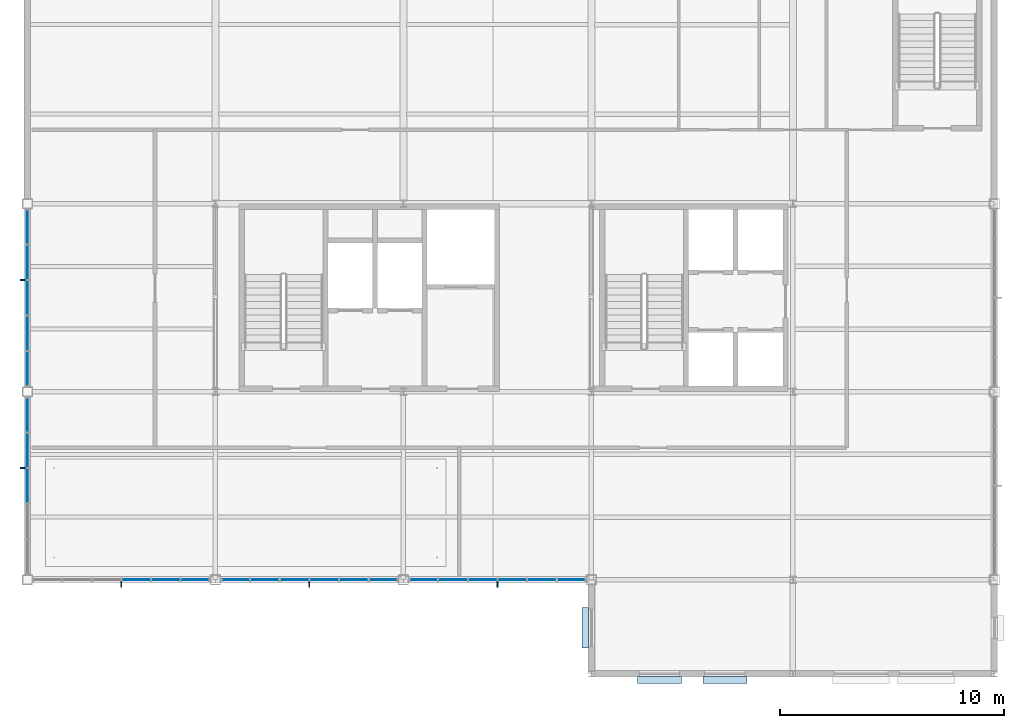
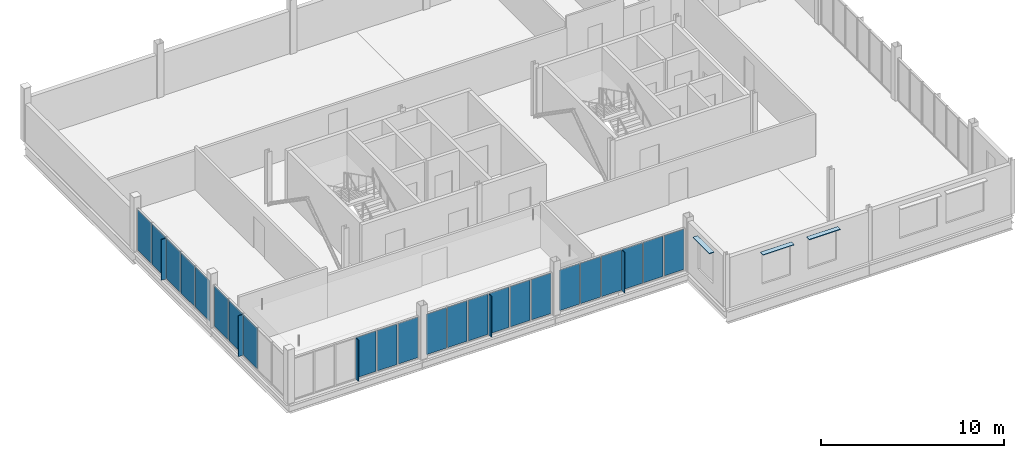
# One storey, part 10 of 19: 31 plates, 5 elements without a shape of their own.
"""IFC4 building model written with IfcOpenShell, lengths in metres."""

from ifc_helpers import new_model, si_unit, direction, frame, origin, origin_2d, place, context, subcontext, project, spatial, rectangle, extrude, material, layer, layer_set, type_object, element, aggregate, save


model = new_model("IFC4")

# Units and contexts
model_context = context("Model", 3, precision=1e-05, world=origin(), true_north=direction((0.0, 1.0)))
body_context = subcontext(model_context, "Body", "Model", "MODEL_VIEW")
ifc_project = project(units=[si_unit("LENGTHUNIT", "METRE"), si_unit("AREAUNIT", "SQUARE_METRE"), si_unit("VOLUMEUNIT", "CUBIC_METRE"), si_unit("PLANEANGLEUNIT", "RADIAN"), si_unit("MASSUNIT", "GRAM", prefix="KILO")], contexts=[model_context])

# Site, building, storey
site_placement = place(None, origin())
site = spatial("IfcSite", under=ifc_project, at=site_placement, CompositionType="ELEMENT")
building_placement = place(site_placement, origin())
building = spatial("IfcBuilding", under=site, at=building_placement, Name="Yukiwa Park Conservatory and Herbarium", CompositionType="ELEMENT")
storey_placement = place(building_placement, frame((0.0, 0.0, 46.800048828125)))
storey = spatial("IfcBuildingStorey", under=building, at=storey_placement, Name="L12", CompositionType="ELEMENT", Elevation=46.800048828125)

# Curtain wall, plates
ifc_material_1 = material(Name="Triple Low-E Insulated Glass", Category="glass")
ifc_layer_1 = layer(ifc_material_1, 0.260009765625)
ifc_layer_set_1 = layer_set([ifc_layer_1], Name="Triple Low-E Insulated Glass")
curtain_wall_type_1 = type_object("IfcCurtainWallType", Name="CW-TOWER-LAB-W-1500", PredefinedType="NOTDEFINED", material=ifc_layer_set_1)
curtain_wall_1_placement = place(storey_placement, origin())
curtain_wall_1 = element("IfcCurtainWall", 1, at=curtain_wall_1_placement, inside=storey, type_object=curtain_wall_type_1, Name="L12 unitised curtain wall CW-L12-121", PredefinedType="NOTDEFINED")
ifc_material_2 = material(Name="Triple Low-E Insulated Glass", Category="glass")
ifc_layer_2 = layer(ifc_material_2, 0.035888671875)
ifc_layer_set_2 = layer_set([ifc_layer_2], Name="Triple Low-E Insulated Glass")
plate_type_1 = type_object("IfcPlateType", Name="PL-CW-GLZ-36", PredefinedType="CURTAIN_PANEL", material=ifc_layer_set_2)
plate_1_placement = place(storey_placement, frame((124.800048828125, 102.179931640625, 0.06982421875), z_axis=(0.0, 0.0, 1.0), x_axis=(0.0, -1.0, 0.0)))
plate_1 = element("IfcPlate", 2, at=plate_1_placement, type_object=plate_type_1, Name="CW-L12-121 vision panel 1.1", PredefinedType="CURTAIN_PANEL", context=body_context, shape_type="SweptSolid", body=[
    extrude(rectangle(XDim=1.52001953125, YDim=0.035888671875, at=origin_2d()), origin(), (0.0, 0.0, 1.0), 2.699951171875),
])
plate_2_placement = place(storey_placement, frame((124.800048828125, 100.590087890625, 0.06982421875), z_axis=(0.0, 0.0, 1.0), x_axis=(0.0, -1.0, 0.0)))
plate_2 = element("IfcPlate", 3, at=plate_2_placement, type_object=plate_type_1, Name="CW-L12-121 vision panel 2.1", PredefinedType="CURTAIN_PANEL", context=body_context, shape_type="SweptSolid", body=[
    extrude(rectangle(XDim=1.52001953125, YDim=0.035888671875, at=origin_2d()), origin(), (0.0, 0.0, 1.0), 2.699951171875),
])
plate_3_placement = place(storey_placement, frame((124.800048828125, 99.0, 0.06982421875), z_axis=(0.0, 0.0, 1.0), x_axis=(0.0, -1.0, 0.0)))
plate_3 = element("IfcPlate", 4, at=plate_3_placement, type_object=plate_type_1, Name="CW-L12-121 vision panel 3.1", PredefinedType="CURTAIN_PANEL", context=body_context, shape_type="SweptSolid", body=[
    extrude(rectangle(XDim=1.52001953125, YDim=0.035888671875, at=origin_2d()), origin(), (0.0, 0.0, 1.0), 2.699951171875),
])
plate_4_placement = place(storey_placement, frame((124.800048828125, 97.409912109375, 0.06982421875), z_axis=(0.0, 0.0, 1.0), x_axis=(0.0, -1.0, 0.0)))
plate_4 = element("IfcPlate", 5, at=plate_4_placement, type_object=plate_type_1, Name="CW-L12-121 vision panel 4.1", PredefinedType="CURTAIN_PANEL", context=body_context, shape_type="SweptSolid", body=[
    extrude(rectangle(XDim=1.52001953125, YDim=0.035888671875, at=origin_2d()), origin(), (0.0, 0.0, 1.0), 2.699951171875),
])
plate_5_placement = place(storey_placement, frame((124.800048828125, 95.820068359375, 0.06982421875), z_axis=(0.0, 0.0, 1.0), x_axis=(0.0, -1.0, 0.0)))
plate_5 = element("IfcPlate", 6, at=plate_5_placement, type_object=plate_type_1, Name="CW-L12-121 vision panel 5.1", PredefinedType="CURTAIN_PANEL", context=body_context, shape_type="SweptSolid", body=[
    extrude(rectangle(XDim=1.52001953125, YDim=0.035888671875, at=origin_2d()), origin(), (0.0, 0.0, 1.0), 2.699951171875),
])
aggregate(curtain_wall_1, [plate_1, plate_2, plate_3, plate_4, plate_5])

curtain_wall_2_placement = place(storey_placement, origin())
curtain_wall_2 = element("IfcCurtainWall", 7, at=curtain_wall_2_placement, inside=storey, type_object=curtain_wall_type_1, Name="L12 unitised curtain wall CW-L12-122", PredefinedType="NOTDEFINED")
plate_6_placement = place(storey_placement, frame((124.800048828125, 93.780029296875, 0.06982421875), z_axis=(0.0, 0.0, 1.0), x_axis=(0.0, -1.0, 0.0)))
plate_6 = element("IfcPlate", 8, at=plate_6_placement, type_object=plate_type_1, Name="CW-L12-122 vision panel 1.1", PredefinedType="CURTAIN_PANEL", context=body_context, shape_type="SweptSolid", body=[
    extrude(rectangle(XDim=1.52001953125, YDim=0.035888671875, at=origin_2d()), origin(), (0.0, 0.0, 1.0), 2.699951171875),
])
plate_7_placement = place(storey_placement, frame((124.800048828125, 92.18994140625, 0.06982421875), z_axis=(0.0, 0.0, 1.0), x_axis=(0.0, -1.0, 0.0)))
plate_7 = element("IfcPlate", 9, at=plate_7_placement, type_object=plate_type_1, Name="CW-L12-122 vision panel 2.1", PredefinedType="CURTAIN_PANEL", context=body_context, shape_type="SweptSolid", body=[
    extrude(rectangle(XDim=1.52001953125, YDim=0.035888671875, at=origin_2d()), origin(), (0.0, 0.0, 1.0), 2.699951171875),
])
plate_8_placement = place(storey_placement, frame((124.800048828125, 90.60009765625, 0.06982421875), z_axis=(0.0, 0.0, 1.0), x_axis=(0.0, -1.0, 0.0)))
plate_8 = element("IfcPlate", 10, at=plate_8_placement, type_object=plate_type_1, Name="CW-L12-122 vision panel 3.1", PredefinedType="CURTAIN_PANEL", context=body_context, shape_type="SweptSolid", body=[
    extrude(rectangle(XDim=1.52001953125, YDim=0.035888671875, at=origin_2d()), origin(), (0.0, 0.0, 1.0), 2.699951171875),
])
aggregate(curtain_wall_2, [plate_6, plate_7, plate_8])

ifc_material_3 = material(Name="Triple Low-E Insulated Glass", Category="glass")
ifc_layer_3 = layer(ifc_material_3, 0.248046875)
ifc_layer_set_3 = layer_set([ifc_layer_3], Name="Triple Low-E Insulated Glass")
curtain_wall_type_2 = type_object("IfcCurtainWallType", Name="CW-TOWER-LAB-S-1400", PredefinedType="NOTDEFINED", material=ifc_layer_set_3)
curtain_wall_3_placement = place(storey_placement, origin())
curtain_wall_3 = element("IfcCurtainWall", 11, at=curtain_wall_3_placement, inside=storey, type_object=curtain_wall_type_2, Name="L12 unitised curtain wall CW-L12-123", PredefinedType="NOTDEFINED")
plate_9_placement = place(storey_placement, frame((129.66259765625, 86.39990234375, 0.06982421875), z_axis=(0.0, 0.0, 1.0), x_axis=(1.0, 0.0, 0.0)))
plate_9 = element("IfcPlate", 12, at=plate_9_placement, type_object=plate_type_1, Name="CW-L12-123 vision panel 4.1", PredefinedType="CURTAIN_PANEL", context=body_context, shape_type="SweptSolid", body=[
    extrude(rectangle(XDim=1.2548828125, YDim=0.035888671875, at=origin_2d()), origin(), (0.0, 0.0, 1.0), 2.697998046875),
])
plate_10_placement = place(storey_placement, frame((130.987548828125, 86.39990234375, 0.06982421875), z_axis=(0.0, 0.0, 1.0), x_axis=(1.0, 0.0, 0.0)))
plate_10 = element("IfcPlate", 13, at=plate_10_placement, type_object=plate_type_1, Name="CW-L12-123 vision panel 5.1", PredefinedType="CURTAIN_PANEL", context=body_context, shape_type="SweptSolid", body=[
    extrude(rectangle(XDim=1.2548828125, YDim=0.035888671875, at=origin_2d()), origin(), (0.0, 0.0, 1.0), 2.697998046875),
])
plate_11_placement = place(storey_placement, frame((132.3125, 86.39990234375, 0.06982421875), z_axis=(0.0, 0.0, 1.0), x_axis=(1.0, 0.0, 0.0)))
plate_11 = element("IfcPlate", 14, at=plate_11_placement, type_object=plate_type_1, Name="CW-L12-123 vision panel 6.1", PredefinedType="CURTAIN_PANEL", context=body_context, shape_type="SweptSolid", body=[
    extrude(rectangle(XDim=1.2548828125, YDim=0.035888671875, at=origin_2d()), origin(), (0.0, 0.0, 1.0), 2.697998046875),
])
aggregate(curtain_wall_3, [plate_9, plate_10, plate_11])

curtain_wall_4_placement = place(storey_placement, origin())
curtain_wall_4 = element("IfcCurtainWall", 15, at=curtain_wall_4_placement, inside=storey, type_object=curtain_wall_type_2, Name="L12 unitised curtain wall CW-L12-124", PredefinedType="NOTDEFINED")
plate_12_placement = place(storey_placement, frame((134.08740234375, 86.39990234375, 0.06982421875), z_axis=(0.0, 0.0, 1.0), x_axis=(1.0, 0.0, 0.0)))
plate_12 = element("IfcPlate", 16, at=plate_12_placement, type_object=plate_type_1, Name="CW-L12-124 vision panel 1.1", PredefinedType="CURTAIN_PANEL", context=body_context, shape_type="SweptSolid", body=[
    extrude(rectangle(XDim=1.2548828125, YDim=0.035888671875, at=origin_2d()), origin(), (0.0, 0.0, 1.0), 2.697998046875),
])
plate_13_placement = place(storey_placement, frame((135.41259765625, 86.39990234375, 0.06982421875), z_axis=(0.0, 0.0, 1.0), x_axis=(1.0, 0.0, 0.0)))
plate_13 = element("IfcPlate", 17, at=plate_13_placement, type_object=plate_type_1, Name="CW-L12-124 vision panel 2.1", PredefinedType="CURTAIN_PANEL", context=body_context, shape_type="SweptSolid", body=[
    extrude(rectangle(XDim=1.2548828125, YDim=0.035888671875, at=origin_2d()), origin(), (0.0, 0.0, 1.0), 2.697998046875),
])
plate_14_placement = place(storey_placement, frame((136.737548828125, 86.39990234375, 0.06982421875), z_axis=(0.0, 0.0, 1.0), x_axis=(1.0, 0.0, 0.0)))
plate_14 = element("IfcPlate", 18, at=plate_14_placement, type_object=plate_type_1, Name="CW-L12-124 vision panel 3.1", PredefinedType="CURTAIN_PANEL", context=body_context, shape_type="SweptSolid", body=[
    extrude(rectangle(XDim=1.2548828125, YDim=0.035888671875, at=origin_2d()), origin(), (0.0, 0.0, 1.0), 2.697998046875),
])
plate_15_placement = place(storey_placement, frame((138.0625, 86.39990234375, 0.06982421875), z_axis=(0.0, 0.0, 1.0), x_axis=(1.0, 0.0, 0.0)))
plate_15 = element("IfcPlate", 19, at=plate_15_placement, type_object=plate_type_1, Name="CW-L12-124 vision panel 4.1", PredefinedType="CURTAIN_PANEL", context=body_context, shape_type="SweptSolid", body=[
    extrude(rectangle(XDim=1.2548828125, YDim=0.035888671875, at=origin_2d()), origin(), (0.0, 0.0, 1.0), 2.697998046875),
])
plate_16_placement = place(storey_placement, frame((139.387451171875, 86.39990234375, 0.06982421875), z_axis=(0.0, 0.0, 1.0), x_axis=(1.0, 0.0, 0.0)))
plate_16 = element("IfcPlate", 20, at=plate_16_placement, type_object=plate_type_1, Name="CW-L12-124 vision panel 5.1", PredefinedType="CURTAIN_PANEL", context=body_context, shape_type="SweptSolid", body=[
    extrude(rectangle(XDim=1.2548828125, YDim=0.035888671875, at=origin_2d()), origin(), (0.0, 0.0, 1.0), 2.697998046875),
])
plate_17_placement = place(storey_placement, frame((140.71240234375, 86.39990234375, 0.06982421875), z_axis=(0.0, 0.0, 1.0), x_axis=(1.0, 0.0, 0.0)))
plate_17 = element("IfcPlate", 21, at=plate_17_placement, type_object=plate_type_1, Name="CW-L12-124 vision panel 6.1", PredefinedType="CURTAIN_PANEL", context=body_context, shape_type="SweptSolid", body=[
    extrude(rectangle(XDim=1.2548828125, YDim=0.035888671875, at=origin_2d()), origin(), (0.0, 0.0, 1.0), 2.697998046875),
])
aggregate(curtain_wall_4, [plate_12, plate_13, plate_14, plate_15, plate_16, plate_17])

curtain_wall_5_placement = place(storey_placement, origin())
curtain_wall_5 = element("IfcCurtainWall", 22, at=curtain_wall_5_placement, inside=storey, type_object=curtain_wall_type_2, Name="L12 unitised curtain wall CW-L12-125", PredefinedType="NOTDEFINED")
plate_18_placement = place(storey_placement, frame((142.487548828125, 86.39990234375, 0.06982421875), z_axis=(0.0, 0.0, 1.0), x_axis=(1.0, 0.0, 0.0)))
plate_18 = element("IfcPlate", 23, at=plate_18_placement, type_object=plate_type_1, Name="CW-L12-125 vision panel 1.1", PredefinedType="CURTAIN_PANEL", context=body_context, shape_type="SweptSolid", body=[
    extrude(rectangle(XDim=1.2548828125, YDim=0.035888671875, at=origin_2d()), origin(), (0.0, 0.0, 1.0), 2.697998046875),
])
plate_19_placement = place(storey_placement, frame((143.8125, 86.39990234375, 0.06982421875), z_axis=(0.0, 0.0, 1.0), x_axis=(1.0, 0.0, 0.0)))
plate_19 = element("IfcPlate", 24, at=plate_19_placement, type_object=plate_type_1, Name="CW-L12-125 vision panel 2.1", PredefinedType="CURTAIN_PANEL", context=body_context, shape_type="SweptSolid", body=[
    extrude(rectangle(XDim=1.2548828125, YDim=0.035888671875, at=origin_2d()), origin(), (0.0, 0.0, 1.0), 2.697998046875),
])
plate_20_placement = place(storey_placement, frame((145.137451171875, 86.39990234375, 0.06982421875), z_axis=(0.0, 0.0, 1.0), x_axis=(1.0, 0.0, 0.0)))
plate_20 = element("IfcPlate", 25, at=plate_20_placement, type_object=plate_type_1, Name="CW-L12-125 vision panel 3.1", PredefinedType="CURTAIN_PANEL", context=body_context, shape_type="SweptSolid", body=[
    extrude(rectangle(XDim=1.2548828125, YDim=0.035888671875, at=origin_2d()), origin(), (0.0, 0.0, 1.0), 2.697998046875),
])
plate_21_placement = place(storey_placement, frame((146.46240234375, 86.39990234375, 0.06982421875), z_axis=(0.0, 0.0, 1.0), x_axis=(1.0, 0.0, 0.0)))
plate_21 = element("IfcPlate", 26, at=plate_21_placement, type_object=plate_type_1, Name="CW-L12-125 vision panel 4.1", PredefinedType="CURTAIN_PANEL", context=body_context, shape_type="SweptSolid", body=[
    extrude(rectangle(XDim=1.2548828125, YDim=0.035888671875, at=origin_2d()), origin(), (0.0, 0.0, 1.0), 2.697998046875),
])
plate_22_placement = place(storey_placement, frame((147.78759765625, 86.39990234375, 0.06982421875), z_axis=(0.0, 0.0, 1.0), x_axis=(1.0, 0.0, 0.0)))
plate_22 = element("IfcPlate", 27, at=plate_22_placement, type_object=plate_type_1, Name="CW-L12-125 vision panel 5.1", PredefinedType="CURTAIN_PANEL", context=body_context, shape_type="SweptSolid", body=[
    extrude(rectangle(XDim=1.2548828125, YDim=0.035888671875, at=origin_2d()), origin(), (0.0, 0.0, 1.0), 2.697998046875),
])
plate_23_placement = place(storey_placement, frame((149.112548828125, 86.39990234375, 0.06982421875), z_axis=(0.0, 0.0, 1.0), x_axis=(1.0, 0.0, 0.0)))
plate_23 = element("IfcPlate", 28, at=plate_23_placement, type_object=plate_type_1, Name="CW-L12-125 vision panel 6.1", PredefinedType="CURTAIN_PANEL", context=body_context, shape_type="SweptSolid", body=[
    extrude(rectangle(XDim=1.2548828125, YDim=0.035888671875, at=origin_2d()), origin(), (0.0, 0.0, 1.0), 2.697998046875),
])
aggregate(curtain_wall_5, [plate_18, plate_19, plate_20, plate_21, plate_22, plate_23])

# Plates
ifc_material_4 = material(Name="Anodised Aluminium", Category="aluminium")
ifc_layer_4 = layer(ifc_material_4, 0.050048828125)
ifc_layer_set_4 = layer_set([ifc_layer_4], Name="Anodised Aluminium")
plate_type_2 = type_object("IfcPlateType", Name="PL-FIN-ALU-50", PredefinedType="USERDEFINED", material=ifc_layer_set_4)
for number, where, z_axis, x_axis, name in (
    (29, (124.610107421875, 99.794921875, 0.06005859375), (0.0, 0.0, 1.0), (0.0, -1.0, 0.0), "CW-L12-121 exterior vertical shading fin"),
    (30, (124.610107421875, 91.39501953125, 0.06005859375), (0.0, 0.0, 1.0), (0.0, -1.0, 0.0), "CW-L12-122 exterior vertical shading fin"),
):
    element("IfcPlate", number, at=place(storey_placement, frame(where, z_axis=z_axis, x_axis=x_axis)), inside=storey, type_object=plate_type_2, Name=name, ObjectType="SHADING FIN", PredefinedType="USERDEFINED", context=body_context, shape_type="SweptSolid", body=[
        extrude(rectangle(XDim=0.050048828125, YDim=0.280029296875, at=origin_2d()), origin(), (0.0, 0.0, 1.0), 2.719970703125),
    ])
for number, where, z_axis, x_axis, name in (
    (31, (129.0, 86.2099609375, 0.06005859375), (0.0, 0.0, 1.0), (1.0, 0.0, 0.0), "CW-L12-123 exterior vertical shading fin"),
    (32, (137.39990234375, 86.2099609375, 0.06005859375), (0.0, 0.0, 1.0), (1.0, 0.0, 0.0), "CW-L12-124 exterior vertical shading fin"),
    (33, (145.800048828125, 86.2099609375, 0.06005859375), (0.0, 0.0, 1.0), (1.0, 0.0, 0.0), "CW-L12-125 exterior vertical shading fin"),
):
    element("IfcPlate", number, at=place(storey_placement, frame(where, z_axis=z_axis, x_axis=x_axis)), inside=storey, type_object=plate_type_2, Name=name, ObjectType="SHADING FIN", PredefinedType="USERDEFINED", context=body_context, shape_type="SweptSolid", body=[
        extrude(rectangle(XDim=0.050048828125, YDim=0.280029296875, at=origin_2d()), origin(), (0.0, 0.0, 1.0), 2.718017578125),
    ])
ifc_material_5 = material(Name="Anodised Aluminium", Category="aluminium")
ifc_layer_5 = layer(ifc_material_5, 0.0400390625)
ifc_layer_set_5 = layer_set([ifc_layer_5], Name="Anodised Aluminium")
plate_type_3 = type_object("IfcPlateType", Name="PL-SHADE-ALU-40", PredefinedType="SHEET", material=ifc_layer_set_5)
plate_24_placement = place(storey_placement, frame((149.719970703125, 84.25, 2.989990234375), z_axis=(0.0, 0.0, 1.0), x_axis=(0.0, -1.0, 0.0)))
element("IfcPlate", 34, at=plate_24_placement, inside=storey, type_object=plate_type_3, Name="L12 snow-shedding window hood 181", PredefinedType="SHEET", context=body_context, shape_type="SweptSolid", body=[
    extrude(rectangle(XDim=1.81005859375, YDim=0.300048828125, at=origin_2d()), origin(), (0.0, 0.0, 1.0), 0.0400390625),
])
for number, where, z_axis, x_axis, name in (
    (35, (153.0419921875, 81.919921875, 2.989990234375), (0.0, 0.0, 1.0), (1.0, 0.0, 0.0), "L12 snow-shedding window hood 182"),
    (36, (155.9580078125, 81.919921875, 2.989990234375), (0.0, 0.0, 1.0), (1.0, 0.0, 0.0), "L12 snow-shedding window hood 183"),
):
    element("IfcPlate", number, at=place(storey_placement, frame(where, z_axis=z_axis, x_axis=x_axis)), inside=storey, type_object=plate_type_3, Name=name, PredefinedType="SHEET", context=body_context, shape_type="SweptSolid", body=[
        extrude(rectangle(XDim=1.9599609375, YDim=0.300048828125, at=origin_2d()), origin(), (0.0, 0.0, 1.0), 0.0400390625),
    ])

save(model, "model.ifc")
